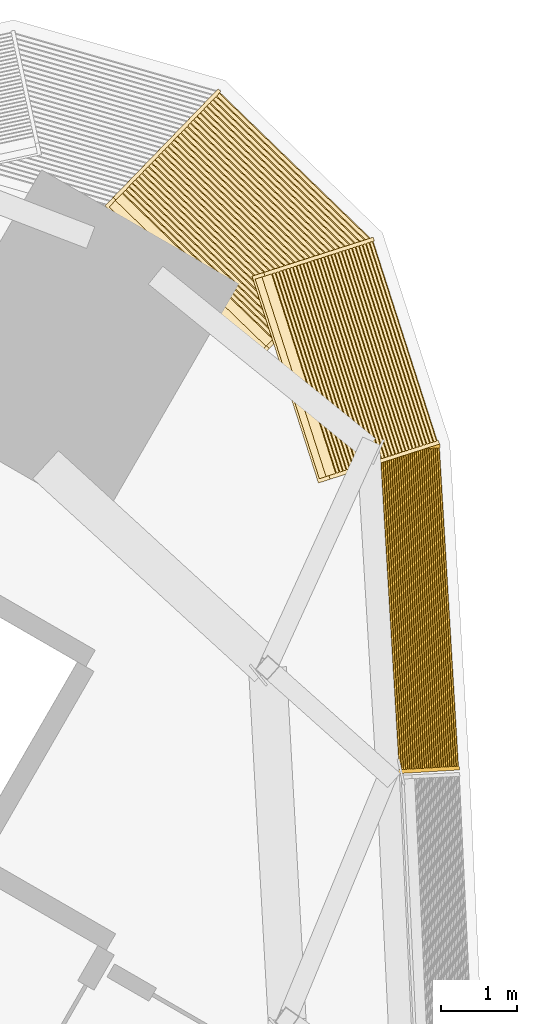
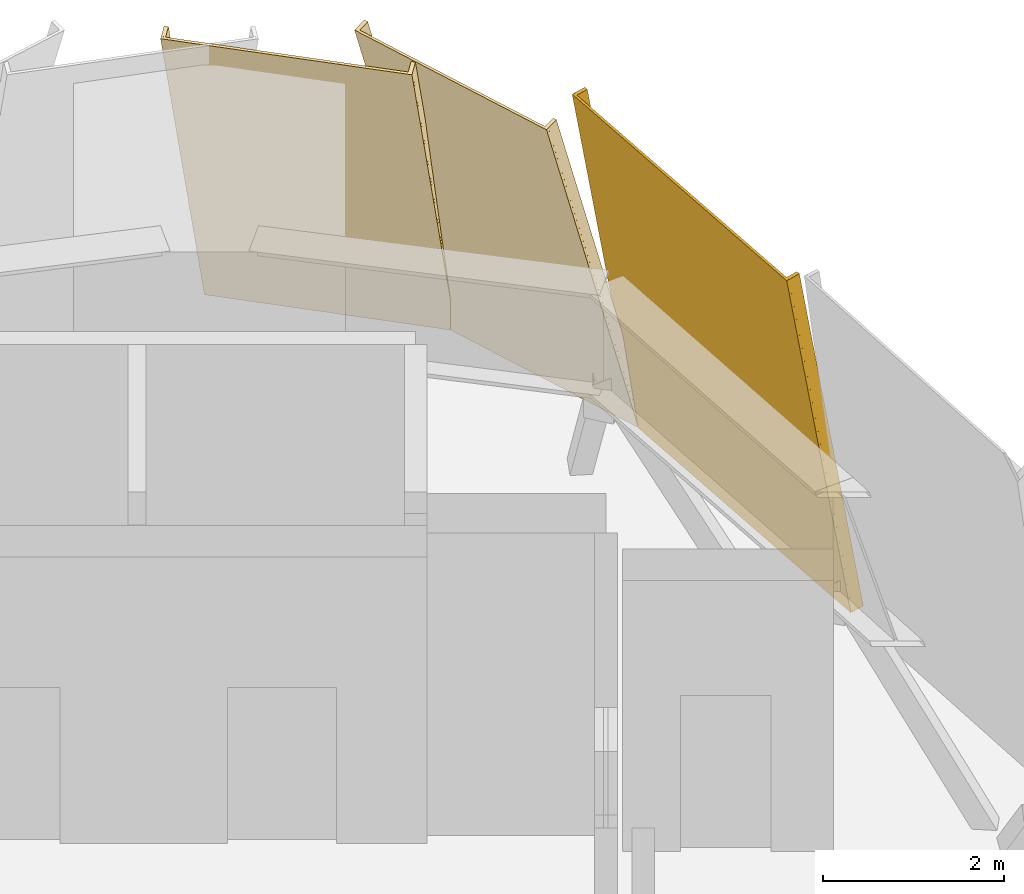
# One storey, part 18 of 18: 3 coverings.
"""IFC4 building model written with IfcOpenShell, lengths in metres."""

from ifc_helpers import new_model, si_unit, direction, frame, frame_2d, origin, place, context, subcontext, project, spatial, rectangle, extrude, source, transform, mapped, material, type_object, element, save


model = new_model("IFC4")

# Units and contexts
model_context = context("Model", 3, precision=1e-05, world=origin(), true_north=direction((0.0, 1.0)))
body_context = subcontext(model_context, "Body", "Model", "MODEL_VIEW")
ifc_project = project(units=[si_unit("LENGTHUNIT", "METRE"), si_unit("AREAUNIT", "SQUARE_METRE"), si_unit("VOLUMEUNIT", "CUBIC_METRE"), si_unit("PLANEANGLEUNIT", "RADIAN"), si_unit("MASSUNIT", "GRAM", prefix="KILO")], contexts=[model_context])

# Site, building, storey
site_placement = place(None, origin())
site = spatial("IfcSite", under=ifc_project, at=site_placement, CompositionType="ELEMENT")
building_placement = place(site_placement, origin())
building = spatial("IfcBuilding", under=site, at=building_placement, Name="Tamra Quay Hotel Tower", CompositionType="ELEMENT")
storey_placement = place(building_placement, frame((0.0, 0.0, 164.800048828125)))
storey = spatial("IfcBuildingStorey", under=building, at=storey_placement, Name="L41", CompositionType="ELEMENT", Elevation=164.800048828125)

# Coverings
ifc_material = material(Name="Terracotta louvre panel", Category="masonry")
covering_type_1 = type_object("IfcCoveringType", Name="PLANT LOUVRE H4874", PredefinedType="USERDEFINED", material=ifc_material)
shared_shape_1 = source(origin(), body_context, "Body", "SweptSolid", [
    extrude(rectangle(XDim=4.300048828125, YDim=0.030029296875, at=frame_2d((2.14990234375, 0.01513671875))), frame((-2.14990234375, -0.030029296875, 0.0)), (0.0, 0.0, 1.0), 4.8740234375),
    extrude(rectangle(XDim=0.050048828125, YDim=0.139892578125, at=frame_2d((0.02490234375, 0.06982421875))), frame((-2.14990234375, -0.169921875, 0.0)), (0.0, 0.0, 1.0), 4.8740234375),
    extrude(rectangle(XDim=0.050048828125, YDim=0.139892578125, at=frame_2d((0.02490234375, 0.06982421875))), frame((2.10009765625, -0.169921875, 0.0)), (0.0, 0.0, 1.0), 4.8740234375),
    extrude(rectangle(XDim=4.199951171875, YDim=0.139892578125, at=frame_2d((2.10009765625, 0.06982421875))), frame((-2.10009765625, -0.169921875, 0.050048828125)), (0.0, 0.0, 1.0), 0.034912109375),
    extrude(rectangle(XDim=4.199951171875, YDim=0.139892578125, at=frame_2d((2.10009765625, 0.06982421875))), frame((-2.10009765625, -0.169921875, 0.2099609375)), (0.0, 0.0, 1.0), 0.034912109375),
    extrude(rectangle(XDim=4.199951171875, YDim=0.139892578125, at=frame_2d((2.10009765625, 0.06982421875))), frame((-2.10009765625, -0.169921875, 0.3701171875)), (0.0, 0.0, 1.0), 0.034912109375),
    extrude(rectangle(XDim=4.199951171875, YDim=0.139892578125, at=frame_2d((2.10009765625, 0.06982421875))), frame((-2.10009765625, -0.169921875, 0.530029296875)), (0.0, 0.0, 1.0), 0.034912109375),
    extrude(rectangle(XDim=4.199951171875, YDim=0.139892578125, at=frame_2d((2.10009765625, 0.06982421875))), frame((-2.10009765625, -0.169921875, 0.68994140625)), (0.0, 0.0, 1.0), 0.034912109375),
    extrude(rectangle(XDim=4.199951171875, YDim=0.139892578125, at=frame_2d((2.10009765625, 0.06982421875))), frame((-2.10009765625, -0.169921875, 0.85009765625)), (0.0, 0.0, 1.0), 0.034912109375),
    extrude(rectangle(XDim=4.199951171875, YDim=0.139892578125, at=frame_2d((2.10009765625, 0.06982421875))), frame((-2.10009765625, -0.169921875, 1.010009765625)), (0.0, 0.0, 1.0), 0.034912109375),
    extrude(rectangle(XDim=4.199951171875, YDim=0.139892578125, at=frame_2d((2.10009765625, 0.06982421875))), frame((-2.10009765625, -0.169921875, 1.169921875)), (0.0, 0.0, 1.0), 0.034912109375),
    extrude(rectangle(XDim=4.199951171875, YDim=0.139892578125, at=frame_2d((2.10009765625, 0.06982421875))), frame((-2.10009765625, -0.169921875, 1.330078125)), (0.0, 0.0, 1.0), 0.034912109375),
    extrude(rectangle(XDim=4.199951171875, YDim=0.139892578125, at=frame_2d((2.10009765625, 0.06982421875))), frame((-2.10009765625, -0.169921875, 1.489990234375)), (0.0, 0.0, 1.0), 0.034912109375),
    extrude(rectangle(XDim=4.199951171875, YDim=0.139892578125, at=frame_2d((2.10009765625, 0.06982421875))), frame((-2.10009765625, -0.169921875, 1.64990234375)), (0.0, 0.0, 1.0), 0.034912109375),
    extrude(rectangle(XDim=4.199951171875, YDim=0.139892578125, at=frame_2d((2.10009765625, 0.06982421875))), frame((-2.10009765625, -0.169921875, 1.81005859375)), (0.0, 0.0, 1.0), 0.034912109375),
    extrude(rectangle(XDim=4.199951171875, YDim=0.139892578125, at=frame_2d((2.10009765625, 0.06982421875))), frame((-2.10009765625, -0.169921875, 1.969970703125)), (0.0, 0.0, 1.0), 0.034912109375),
    extrude(rectangle(XDim=4.199951171875, YDim=0.139892578125, at=frame_2d((2.10009765625, 0.06982421875))), frame((-2.10009765625, -0.169921875, 2.1298828125)), (0.0, 0.0, 1.0), 0.034912109375),
    extrude(rectangle(XDim=4.199951171875, YDim=0.139892578125, at=frame_2d((2.10009765625, 0.06982421875))), frame((-2.10009765625, -0.169921875, 2.2900390625)), (0.0, 0.0, 1.0), 0.034912109375),
    extrude(rectangle(XDim=4.199951171875, YDim=0.139892578125, at=frame_2d((2.10009765625, 0.06982421875))), frame((-2.10009765625, -0.169921875, 2.449951171875)), (0.0, 0.0, 1.0), 0.034912109375),
    extrude(rectangle(XDim=4.199951171875, YDim=0.139892578125, at=frame_2d((2.10009765625, 0.06982421875))), frame((-2.10009765625, -0.169921875, 2.610107421875)), (0.0, 0.0, 1.0), 0.034912109375),
    extrude(rectangle(XDim=4.199951171875, YDim=0.139892578125, at=frame_2d((2.10009765625, 0.06982421875))), frame((-2.10009765625, -0.169921875, 2.77001953125)), (0.0, 0.0, 1.0), 0.034912109375),
    extrude(rectangle(XDim=4.199951171875, YDim=0.139892578125, at=frame_2d((2.10009765625, 0.06982421875))), frame((-2.10009765625, -0.169921875, 2.929931640625)), (0.0, 0.0, 1.0), 0.034912109375),
    extrude(rectangle(XDim=4.199951171875, YDim=0.139892578125, at=frame_2d((2.10009765625, 0.06982421875))), frame((-2.10009765625, -0.169921875, 3.090087890625)), (0.0, 0.0, 1.0), 0.034912109375),
    extrude(rectangle(XDim=4.199951171875, YDim=0.139892578125, at=frame_2d((2.10009765625, 0.06982421875))), frame((-2.10009765625, -0.169921875, 3.25)), (0.0, 0.0, 1.0), 0.034912109375),
    extrude(rectangle(XDim=4.199951171875, YDim=0.139892578125, at=frame_2d((2.10009765625, 0.06982421875))), frame((-2.10009765625, -0.169921875, 3.409912109375)), (0.0, 0.0, 1.0), 0.034912109375),
    extrude(rectangle(XDim=4.199951171875, YDim=0.139892578125, at=frame_2d((2.10009765625, 0.06982421875))), frame((-2.10009765625, -0.169921875, 3.570068359375)), (0.0, 0.0, 1.0), 0.034912109375),
    extrude(rectangle(XDim=4.199951171875, YDim=0.139892578125, at=frame_2d((2.10009765625, 0.06982421875))), frame((-2.10009765625, -0.169921875, 3.72998046875)), (0.0, 0.0, 1.0), 0.034912109375),
    extrude(rectangle(XDim=4.199951171875, YDim=0.139892578125, at=frame_2d((2.10009765625, 0.06982421875))), frame((-2.10009765625, -0.169921875, 3.889892578125)), (0.0, 0.0, 1.0), 0.034912109375),
    extrude(rectangle(XDim=4.199951171875, YDim=0.139892578125, at=frame_2d((2.10009765625, 0.06982421875))), frame((-2.10009765625, -0.169921875, 4.050048828125)), (0.0, 0.0, 1.0), 0.034912109375),
    extrude(rectangle(XDim=4.199951171875, YDim=0.139892578125, at=frame_2d((2.10009765625, 0.06982421875))), frame((-2.10009765625, -0.169921875, 4.2099609375)), (0.0, 0.0, 1.0), 0.034912109375),
    extrude(rectangle(XDim=4.199951171875, YDim=0.139892578125, at=frame_2d((2.10009765625, 0.06982421875))), frame((-2.10009765625, -0.169921875, 4.3701171875)), (0.0, 0.0, 1.0), 0.034912109375),
    extrude(rectangle(XDim=4.199951171875, YDim=0.139892578125, at=frame_2d((2.10009765625, 0.06982421875))), frame((-2.10009765625, -0.169921875, 4.530029296875)), (0.0, 0.0, 1.0), 0.034912109375),
])
covering_1_placement = place(storey_placement, frame((19.30126953125, 21.64599609375, 0.0), z_axis=(-0.173339053403, -0.010356745257, 0.984807753012), x_axis=(-0.059642118887, 0.998219824315, 0.0)))
element("IfcCovering", 1, at=covering_1_placement, inside=storey, type_object=covering_type_1, Name="Plant louvre L41.E.f10", ObjectType="LOUVER", PredefinedType="USERDEFINED", context=body_context, shape_type="MappedRepresentation", body=[
    mapped(shared_shape_1, transform((0.0, 0.0, 0.0), scale=1.0)),
])
covering_type_2 = type_object("IfcCoveringType", Name="PLANT LOUVRE H5033", PredefinedType="USERDEFINED", material=ifc_material)
shared_shape_2 = source(origin(), body_context, "Body", "SweptSolid", [
    extrude(rectangle(XDim=2.860107421875, YDim=0.030029296875, at=frame_2d((1.43017578125, 0.01513671875))), frame((-1.429931640625, -0.030029296875, 0.0)), (0.0, 0.0, 1.0), 5.032958984375),
    extrude(rectangle(XDim=0.050048828125, YDim=0.139892578125, at=frame_2d((0.02490234375, 0.06982421875))), frame((-1.429931640625, -0.169921875, 0.0)), (0.0, 0.0, 1.0), 5.032958984375),
    extrude(rectangle(XDim=0.050048828125, YDim=0.139892578125, at=frame_2d((0.02490234375, 0.06982421875))), frame((1.3798828125, -0.169921875, 0.0)), (0.0, 0.0, 1.0), 5.032958984375),
    extrude(rectangle(XDim=2.760009765625, YDim=0.139892578125, at=frame_2d((1.3798828125, 0.06982421875))), frame((-1.3798828125, -0.169921875, 0.050048828125)), (0.0, 0.0, 1.0), 0.034912109375),
    extrude(rectangle(XDim=2.760009765625, YDim=0.139892578125, at=frame_2d((1.3798828125, 0.06982421875))), frame((-1.3798828125, -0.169921875, 0.2099609375)), (0.0, 0.0, 1.0), 0.034912109375),
    extrude(rectangle(XDim=2.760009765625, YDim=0.139892578125, at=frame_2d((1.3798828125, 0.06982421875))), frame((-1.3798828125, -0.169921875, 0.3701171875)), (0.0, 0.0, 1.0), 0.034912109375),
    extrude(rectangle(XDim=2.760009765625, YDim=0.139892578125, at=frame_2d((1.3798828125, 0.06982421875))), frame((-1.3798828125, -0.169921875, 0.530029296875)), (0.0, 0.0, 1.0), 0.034912109375),
    extrude(rectangle(XDim=2.760009765625, YDim=0.139892578125, at=frame_2d((1.3798828125, 0.06982421875))), frame((-1.3798828125, -0.169921875, 0.68994140625)), (0.0, 0.0, 1.0), 0.034912109375),
    extrude(rectangle(XDim=2.760009765625, YDim=0.139892578125, at=frame_2d((1.3798828125, 0.06982421875))), frame((-1.3798828125, -0.169921875, 0.85009765625)), (0.0, 0.0, 1.0), 0.034912109375),
    extrude(rectangle(XDim=2.760009765625, YDim=0.139892578125, at=frame_2d((1.3798828125, 0.06982421875))), frame((-1.3798828125, -0.169921875, 1.010009765625)), (0.0, 0.0, 1.0), 0.034912109375),
    extrude(rectangle(XDim=2.760009765625, YDim=0.139892578125, at=frame_2d((1.3798828125, 0.06982421875))), frame((-1.3798828125, -0.169921875, 1.169921875)), (0.0, 0.0, 1.0), 0.034912109375),
    extrude(rectangle(XDim=2.760009765625, YDim=0.139892578125, at=frame_2d((1.3798828125, 0.06982421875))), frame((-1.3798828125, -0.169921875, 1.330078125)), (0.0, 0.0, 1.0), 0.034912109375),
    extrude(rectangle(XDim=2.760009765625, YDim=0.139892578125, at=frame_2d((1.3798828125, 0.06982421875))), frame((-1.3798828125, -0.169921875, 1.489990234375)), (0.0, 0.0, 1.0), 0.034912109375),
    extrude(rectangle(XDim=2.760009765625, YDim=0.139892578125, at=frame_2d((1.3798828125, 0.06982421875))), frame((-1.3798828125, -0.169921875, 1.64990234375)), (0.0, 0.0, 1.0), 0.034912109375),
    extrude(rectangle(XDim=2.760009765625, YDim=0.139892578125, at=frame_2d((1.3798828125, 0.06982421875))), frame((-1.3798828125, -0.169921875, 1.81005859375)), (0.0, 0.0, 1.0), 0.034912109375),
    extrude(rectangle(XDim=2.760009765625, YDim=0.139892578125, at=frame_2d((1.3798828125, 0.06982421875))), frame((-1.3798828125, -0.169921875, 1.969970703125)), (0.0, 0.0, 1.0), 0.034912109375),
    extrude(rectangle(XDim=2.760009765625, YDim=0.139892578125, at=frame_2d((1.3798828125, 0.06982421875))), frame((-1.3798828125, -0.169921875, 2.1298828125)), (0.0, 0.0, 1.0), 0.034912109375),
    extrude(rectangle(XDim=2.760009765625, YDim=0.139892578125, at=frame_2d((1.3798828125, 0.06982421875))), frame((-1.3798828125, -0.169921875, 2.2900390625)), (0.0, 0.0, 1.0), 0.034912109375),
    extrude(rectangle(XDim=2.760009765625, YDim=0.139892578125, at=frame_2d((1.3798828125, 0.06982421875))), frame((-1.3798828125, -0.169921875, 2.449951171875)), (0.0, 0.0, 1.0), 0.034912109375),
    extrude(rectangle(XDim=2.760009765625, YDim=0.139892578125, at=frame_2d((1.3798828125, 0.06982421875))), frame((-1.3798828125, -0.169921875, 2.610107421875)), (0.0, 0.0, 1.0), 0.034912109375),
    extrude(rectangle(XDim=2.760009765625, YDim=0.139892578125, at=frame_2d((1.3798828125, 0.06982421875))), frame((-1.3798828125, -0.169921875, 2.77001953125)), (0.0, 0.0, 1.0), 0.034912109375),
    extrude(rectangle(XDim=2.760009765625, YDim=0.139892578125, at=frame_2d((1.3798828125, 0.06982421875))), frame((-1.3798828125, -0.169921875, 2.929931640625)), (0.0, 0.0, 1.0), 0.034912109375),
    extrude(rectangle(XDim=2.760009765625, YDim=0.139892578125, at=frame_2d((1.3798828125, 0.06982421875))), frame((-1.3798828125, -0.169921875, 3.090087890625)), (0.0, 0.0, 1.0), 0.034912109375),
    extrude(rectangle(XDim=2.760009765625, YDim=0.139892578125, at=frame_2d((1.3798828125, 0.06982421875))), frame((-1.3798828125, -0.169921875, 3.25)), (0.0, 0.0, 1.0), 0.034912109375),
    extrude(rectangle(XDim=2.760009765625, YDim=0.139892578125, at=frame_2d((1.3798828125, 0.06982421875))), frame((-1.3798828125, -0.169921875, 3.409912109375)), (0.0, 0.0, 1.0), 0.034912109375),
    extrude(rectangle(XDim=2.760009765625, YDim=0.139892578125, at=frame_2d((1.3798828125, 0.06982421875))), frame((-1.3798828125, -0.169921875, 3.570068359375)), (0.0, 0.0, 1.0), 0.034912109375),
    extrude(rectangle(XDim=2.760009765625, YDim=0.139892578125, at=frame_2d((1.3798828125, 0.06982421875))), frame((-1.3798828125, -0.169921875, 3.72998046875)), (0.0, 0.0, 1.0), 0.034912109375),
    extrude(rectangle(XDim=2.760009765625, YDim=0.139892578125, at=frame_2d((1.3798828125, 0.06982421875))), frame((-1.3798828125, -0.169921875, 3.889892578125)), (0.0, 0.0, 1.0), 0.034912109375),
    extrude(rectangle(XDim=2.760009765625, YDim=0.139892578125, at=frame_2d((1.3798828125, 0.06982421875))), frame((-1.3798828125, -0.169921875, 4.050048828125)), (0.0, 0.0, 1.0), 0.034912109375),
    extrude(rectangle(XDim=2.760009765625, YDim=0.139892578125, at=frame_2d((1.3798828125, 0.06982421875))), frame((-1.3798828125, -0.169921875, 4.2099609375)), (0.0, 0.0, 1.0), 0.034912109375),
    extrude(rectangle(XDim=2.760009765625, YDim=0.139892578125, at=frame_2d((1.3798828125, 0.06982421875))), frame((-1.3798828125, -0.169921875, 4.3701171875)), (0.0, 0.0, 1.0), 0.034912109375),
    extrude(rectangle(XDim=2.760009765625, YDim=0.139892578125, at=frame_2d((1.3798828125, 0.06982421875))), frame((-1.3798828125, -0.169921875, 4.530029296875)), (0.0, 0.0, 1.0), 0.034912109375),
    extrude(rectangle(XDim=2.760009765625, YDim=0.139892578125, at=frame_2d((1.3798828125, 0.06982421875))), frame((-1.3798828125, -0.169921875, 4.68994140625)), (0.0, 0.0, 1.0), 0.034912109375),
])
covering_2_placement = place(storey_placement, frame((18.743408203125, 25.11279296875, 0.0), z_axis=(-0.286289632637, -0.091990347864, 0.953716950748), x_axis=(-0.305914777883, 0.952058899792, 0.0)))
element("IfcCovering", 2, at=covering_2_placement, inside=storey, type_object=covering_type_2, Name="Plant louvre L41.E.c00", ObjectType="LOUVER", PredefinedType="USERDEFINED", context=body_context, shape_type="MappedRepresentation", body=[
    mapped(shared_shape_2, transform((0.0, 0.0, 0.0), scale=1.0)),
])
covering_type_3 = type_object("IfcCoveringType", Name="PLANT LOUVRE H5195", PredefinedType="USERDEFINED", material=ifc_material)
shared_shape_3 = source(origin(), body_context, "Body", "SweptSolid", [
    extrude(rectangle(XDim=2.860107421875, YDim=0.030029296875, at=frame_2d((1.43017578125, 0.01513671875))), frame((-1.429931640625, -0.030029296875, 0.0)), (0.0, 0.0, 1.0), 5.195068359375),
    extrude(rectangle(XDim=0.050048828125, YDim=0.139892578125, at=frame_2d((0.02490234375, 0.06982421875))), frame((-1.429931640625, -0.169921875, 0.0)), (0.0, 0.0, 1.0), 5.195068359375),
    extrude(rectangle(XDim=0.050048828125, YDim=0.139892578125, at=frame_2d((0.02490234375, 0.06982421875))), frame((1.3798828125, -0.169921875, 0.0)), (0.0, 0.0, 1.0), 5.195068359375),
    extrude(rectangle(XDim=2.760009765625, YDim=0.139892578125, at=frame_2d((1.3798828125, 0.06982421875))), frame((-1.3798828125, -0.169921875, 0.050048828125)), (0.0, 0.0, 1.0), 0.034912109375),
    extrude(rectangle(XDim=2.760009765625, YDim=0.139892578125, at=frame_2d((1.3798828125, 0.06982421875))), frame((-1.3798828125, -0.169921875, 0.2099609375)), (0.0, 0.0, 1.0), 0.034912109375),
    extrude(rectangle(XDim=2.760009765625, YDim=0.139892578125, at=frame_2d((1.3798828125, 0.06982421875))), frame((-1.3798828125, -0.169921875, 0.3701171875)), (0.0, 0.0, 1.0), 0.034912109375),
    extrude(rectangle(XDim=2.760009765625, YDim=0.139892578125, at=frame_2d((1.3798828125, 0.06982421875))), frame((-1.3798828125, -0.169921875, 0.530029296875)), (0.0, 0.0, 1.0), 0.034912109375),
    extrude(rectangle(XDim=2.760009765625, YDim=0.139892578125, at=frame_2d((1.3798828125, 0.06982421875))), frame((-1.3798828125, -0.169921875, 0.68994140625)), (0.0, 0.0, 1.0), 0.034912109375),
    extrude(rectangle(XDim=2.760009765625, YDim=0.139892578125, at=frame_2d((1.3798828125, 0.06982421875))), frame((-1.3798828125, -0.169921875, 0.85009765625)), (0.0, 0.0, 1.0), 0.034912109375),
    extrude(rectangle(XDim=2.760009765625, YDim=0.139892578125, at=frame_2d((1.3798828125, 0.06982421875))), frame((-1.3798828125, -0.169921875, 1.010009765625)), (0.0, 0.0, 1.0), 0.034912109375),
    extrude(rectangle(XDim=2.760009765625, YDim=0.139892578125, at=frame_2d((1.3798828125, 0.06982421875))), frame((-1.3798828125, -0.169921875, 1.169921875)), (0.0, 0.0, 1.0), 0.034912109375),
    extrude(rectangle(XDim=2.760009765625, YDim=0.139892578125, at=frame_2d((1.3798828125, 0.06982421875))), frame((-1.3798828125, -0.169921875, 1.330078125)), (0.0, 0.0, 1.0), 0.034912109375),
    extrude(rectangle(XDim=2.760009765625, YDim=0.139892578125, at=frame_2d((1.3798828125, 0.06982421875))), frame((-1.3798828125, -0.169921875, 1.489990234375)), (0.0, 0.0, 1.0), 0.034912109375),
    extrude(rectangle(XDim=2.760009765625, YDim=0.139892578125, at=frame_2d((1.3798828125, 0.06982421875))), frame((-1.3798828125, -0.169921875, 1.64990234375)), (0.0, 0.0, 1.0), 0.034912109375),
    extrude(rectangle(XDim=2.760009765625, YDim=0.139892578125, at=frame_2d((1.3798828125, 0.06982421875))), frame((-1.3798828125, -0.169921875, 1.81005859375)), (0.0, 0.0, 1.0), 0.034912109375),
    extrude(rectangle(XDim=2.760009765625, YDim=0.139892578125, at=frame_2d((1.3798828125, 0.06982421875))), frame((-1.3798828125, -0.169921875, 1.969970703125)), (0.0, 0.0, 1.0), 0.034912109375),
    extrude(rectangle(XDim=2.760009765625, YDim=0.139892578125, at=frame_2d((1.3798828125, 0.06982421875))), frame((-1.3798828125, -0.169921875, 2.1298828125)), (0.0, 0.0, 1.0), 0.034912109375),
    extrude(rectangle(XDim=2.760009765625, YDim=0.139892578125, at=frame_2d((1.3798828125, 0.06982421875))), frame((-1.3798828125, -0.169921875, 2.2900390625)), (0.0, 0.0, 1.0), 0.034912109375),
    extrude(rectangle(XDim=2.760009765625, YDim=0.139892578125, at=frame_2d((1.3798828125, 0.06982421875))), frame((-1.3798828125, -0.169921875, 2.449951171875)), (0.0, 0.0, 1.0), 0.034912109375),
    extrude(rectangle(XDim=2.760009765625, YDim=0.139892578125, at=frame_2d((1.3798828125, 0.06982421875))), frame((-1.3798828125, -0.169921875, 2.610107421875)), (0.0, 0.0, 1.0), 0.034912109375),
    extrude(rectangle(XDim=2.760009765625, YDim=0.139892578125, at=frame_2d((1.3798828125, 0.06982421875))), frame((-1.3798828125, -0.169921875, 2.77001953125)), (0.0, 0.0, 1.0), 0.034912109375),
    extrude(rectangle(XDim=2.760009765625, YDim=0.139892578125, at=frame_2d((1.3798828125, 0.06982421875))), frame((-1.3798828125, -0.169921875, 2.929931640625)), (0.0, 0.0, 1.0), 0.034912109375),
    extrude(rectangle(XDim=2.760009765625, YDim=0.139892578125, at=frame_2d((1.3798828125, 0.06982421875))), frame((-1.3798828125, -0.169921875, 3.090087890625)), (0.0, 0.0, 1.0), 0.034912109375),
    extrude(rectangle(XDim=2.760009765625, YDim=0.139892578125, at=frame_2d((1.3798828125, 0.06982421875))), frame((-1.3798828125, -0.169921875, 3.25)), (0.0, 0.0, 1.0), 0.034912109375),
    extrude(rectangle(XDim=2.760009765625, YDim=0.139892578125, at=frame_2d((1.3798828125, 0.06982421875))), frame((-1.3798828125, -0.169921875, 3.409912109375)), (0.0, 0.0, 1.0), 0.034912109375),
    extrude(rectangle(XDim=2.760009765625, YDim=0.139892578125, at=frame_2d((1.3798828125, 0.06982421875))), frame((-1.3798828125, -0.169921875, 3.570068359375)), (0.0, 0.0, 1.0), 0.034912109375),
    extrude(rectangle(XDim=2.760009765625, YDim=0.139892578125, at=frame_2d((1.3798828125, 0.06982421875))), frame((-1.3798828125, -0.169921875, 3.72998046875)), (0.0, 0.0, 1.0), 0.034912109375),
    extrude(rectangle(XDim=2.760009765625, YDim=0.139892578125, at=frame_2d((1.3798828125, 0.06982421875))), frame((-1.3798828125, -0.169921875, 3.889892578125)), (0.0, 0.0, 1.0), 0.034912109375),
    extrude(rectangle(XDim=2.760009765625, YDim=0.139892578125, at=frame_2d((1.3798828125, 0.06982421875))), frame((-1.3798828125, -0.169921875, 4.050048828125)), (0.0, 0.0, 1.0), 0.034912109375),
    extrude(rectangle(XDim=2.760009765625, YDim=0.139892578125, at=frame_2d((1.3798828125, 0.06982421875))), frame((-1.3798828125, -0.169921875, 4.2099609375)), (0.0, 0.0, 1.0), 0.034912109375),
    extrude(rectangle(XDim=2.760009765625, YDim=0.139892578125, at=frame_2d((1.3798828125, 0.06982421875))), frame((-1.3798828125, -0.169921875, 4.3701171875)), (0.0, 0.0, 1.0), 0.034912109375),
    extrude(rectangle(XDim=2.760009765625, YDim=0.139892578125, at=frame_2d((1.3798828125, 0.06982421875))), frame((-1.3798828125, -0.169921875, 4.530029296875)), (0.0, 0.0, 1.0), 0.034912109375),
    extrude(rectangle(XDim=2.760009765625, YDim=0.139892578125, at=frame_2d((1.3798828125, 0.06982421875))), frame((-1.3798828125, -0.169921875, 4.68994140625)), (0.0, 0.0, 1.0), 0.034912109375),
    extrude(rectangle(XDim=2.760009765625, YDim=0.139892578125, at=frame_2d((1.3798828125, 0.06982421875))), frame((-1.3798828125, -0.169921875, 4.85009765625)), (0.0, 0.0, 1.0), 0.034912109375),
])
covering_3_placement = place(storey_placement, frame((17.338623046875, 27.37158203125, 0.0), z_axis=(-0.266133242554, -0.274990375494, 0.923879532511), x_axis=(-0.718584480635, 0.695439676888, 0.0)))
element("IfcCovering", 3, at=covering_3_placement, inside=storey, type_object=covering_type_3, Name="Plant louvre L41.E.c01", ObjectType="LOUVER", PredefinedType="USERDEFINED", context=body_context, shape_type="MappedRepresentation", body=[
    mapped(shared_shape_3, transform((0.0, 0.0, 0.0), scale=1.0)),
])

save(model, "model.ifc")
